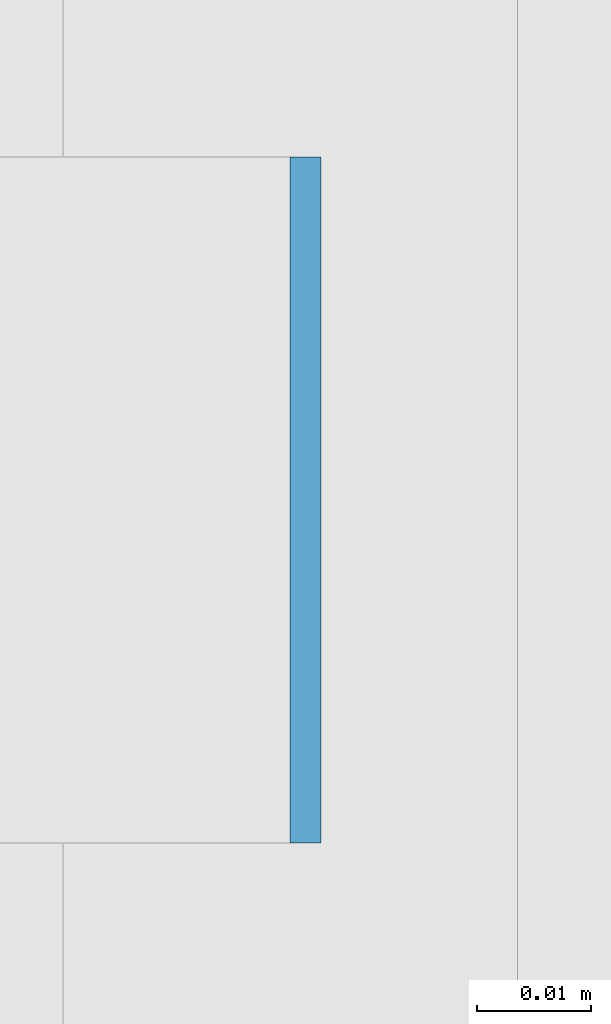
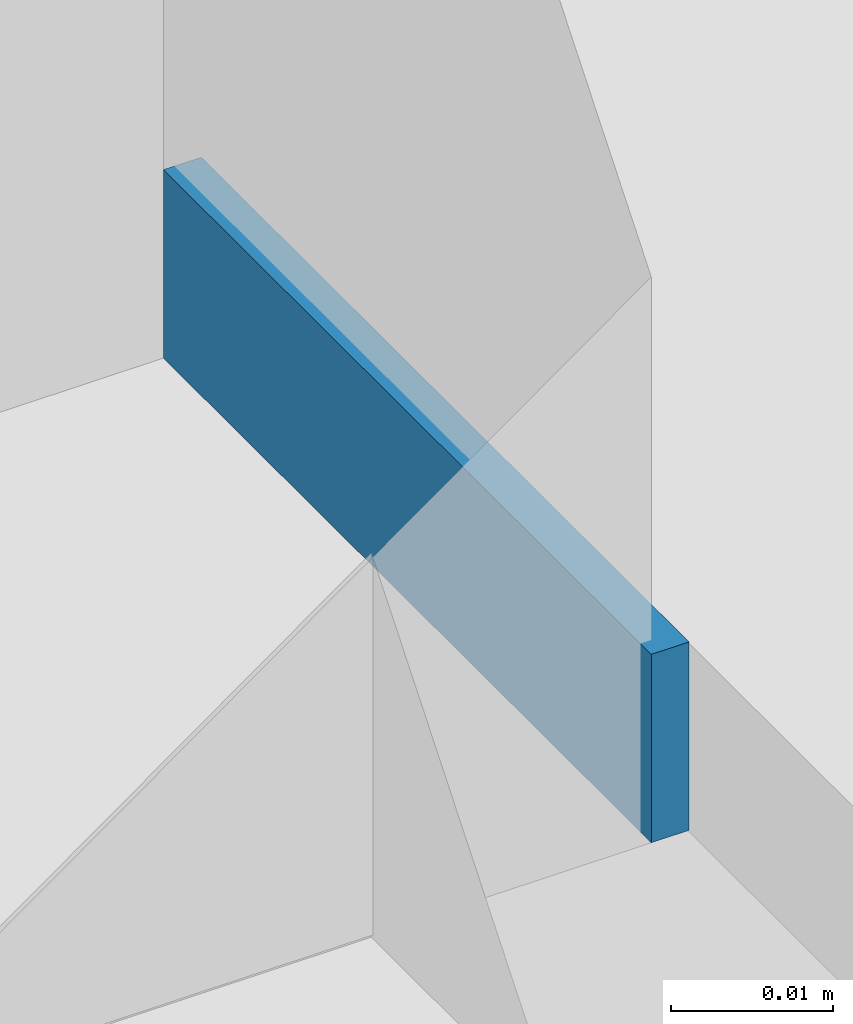
# One storey, part 424 of 646: 1 discrete accessory.
"""IFC4 building model written with IfcOpenShell, lengths in metres."""

from ifc_helpers import new_model, si_unit, direction, frame, origin, origin_2d, place, context, subcontext, project, spatial, rectangle, extrude, material, type_object, element, save


model = new_model("IFC4")

# Units and contexts
model_context = context("Model", 3, precision=1e-05, world=origin(), true_north=direction((0.0, 1.0)))
body_context = subcontext(model_context, "Body", "Model", "MODEL_VIEW")
ifc_project = project(units=[si_unit("LENGTHUNIT", "METRE"), si_unit("AREAUNIT", "SQUARE_METRE"), si_unit("VOLUMEUNIT", "CUBIC_METRE"), si_unit("PLANEANGLEUNIT", "RADIAN"), si_unit("MASSUNIT", "GRAM", prefix="KILO")], contexts=[model_context])

# Site, building, storey
site_placement = place(None, origin())
site = spatial("IfcSite", under=ifc_project, at=site_placement, CompositionType="ELEMENT")
building_placement = place(site_placement, origin())
building = spatial("IfcBuilding", under=site, at=building_placement, Name="Silverbay Arena", CompositionType="ELEMENT")
storey_placement = place(building_placement, frame((0.0, 0.0, 33.5)))
storey = spatial("IfcBuildingStorey", under=building, at=storey_placement, Name="L05", CompositionType="ELEMENT", Elevation=33.5)

# Discrete accessory
ifc_material = material(Name="Steel S355", Category="steel")
discrete_accessory_type = type_object("IfcDiscreteAccessoryType", Name="Steel bracket plate", PredefinedType="BRACKET", material=ifc_material)
discrete_accessory_placement = place(storey_placement, frame((53.871337890625, 133.166748046875, 4.0), z_axis=(0.0, 0.0, 1.0), x_axis=(1.0, 0.0, 0.0)))
element("IfcDiscreteAccessory", 1, at=discrete_accessory_placement, inside=storey, type_object=discrete_accessory_type, Name="Curtain wall packing plate", PredefinedType="BRACKET", context=body_context, shape_type="SweptSolid", body=[
    extrude(rectangle(XDim=0.002685546875, YDim=0.06005859375, at=origin_2d()), origin(), (0.0, 0.0, 1.0), 0.01416015625),
])

save(model, "model.ifc")
